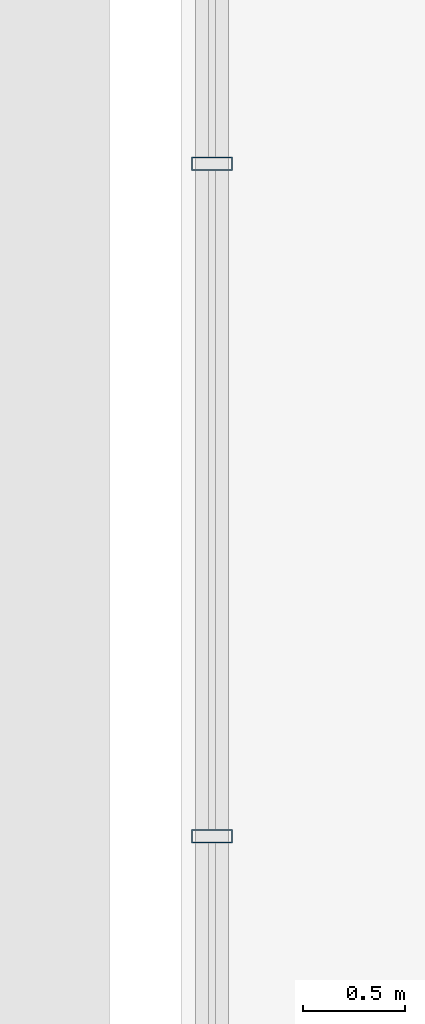
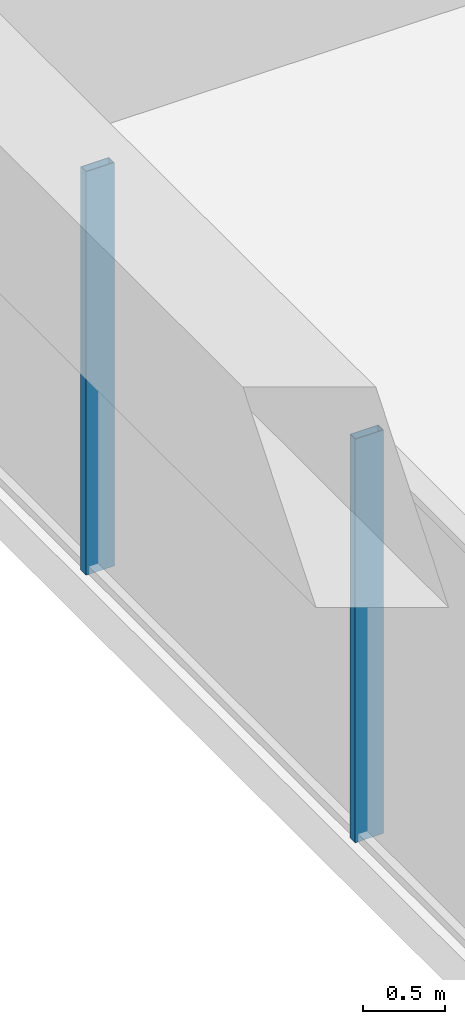
# One storey, part 4 of 16: 2 members, 1 element without a shape of its own.
"""IFC4 building model written with IfcOpenShell, lengths in metres."""

import ifcopenshell
import ifcopenshell.guid

model = None  # the IFC model being written
_history = None  # IfcOwnerHistory: only IFC2X3 demands one
_inside = {}  # id of a spatial element -> (the spatial element, [elements in it])
_under = {}  # id of a project, library or spatial element -> (it, [spatial elements below it])
_declared = {}  # id of a project -> (the project, [libraries it declares])
_typed = {}  # id of a type object -> (the type object, [elements of that type])
_made_of = {}  # id of a material, layer set ... -> (it, [elements and type objects made of it])


def new_model(schema):
    """Start an empty IFC model of exactly this schema.

    Asked for "IFC4X3", IfcOpenShell would pick the latest addendum, in which some entities
    have other attributes; the version numbers below select the first issue.
    IFC2X3 requires an IfcOwnerHistory on every rooted entity: one is made here for all.
    """
    global model, _history
    if schema == "IFC4X3":
        model = ifcopenshell.file(schema_version=(4, 3, 0, 0))
    else:
        model = ifcopenshell.file(schema=schema)
    _inside.clear()
    _under.clear()
    _declared.clear()
    _typed.clear()
    _made_of.clear()
    _history = None
    if model.schema == "IFC2X3":
        org = make("IfcOrganization", Name="unknown")
        user = make(
            "IfcPersonAndOrganization",
            ThePerson=make("IfcPerson", FamilyName="unknown"),
            TheOrganization=org,
        )
        app = make(
            "IfcApplication",
            ApplicationDeveloper=org,
            Version="unknown",
            ApplicationFullName="unknown",
            ApplicationIdentifier="unknown",
        )
        _history = make(
            "IfcOwnerHistory",
            OwningUser=user,
            OwningApplication=app,
            ChangeAction="ADDED",
            CreationDate=0,
        )
    return model


def make(cls, **values):
    """One entity of the class cls with the attributes given. An attribute that is None is left unset."""
    return model.create_entity(
        cls, **{name: value for name, value in values.items() if value is not None}
    )


def rooted(cls, **values):
    """An entity with a GlobalId (a new one), such as an element, a storey or a relation."""
    return make(cls, GlobalId=ifcopenshell.guid.new(), OwnerHistory=_history, **values)


def si_unit(unit_type, name, prefix=None):
    """IfcSIUnit, for example si_unit("LENGTHUNIT", "METRE", prefix="MILLI")."""
    return make("IfcSIUnit", UnitType=unit_type, Prefix=prefix, Name=name)


def assignment(units):
    """IfcUnitAssignment: the units of a project."""
    return None if units is None else make("IfcUnitAssignment", Units=units)


def point(xyz):
    """IfcCartesianPoint."""
    return None if xyz is None else make("IfcCartesianPoint", Coordinates=xyz)


def direction(xyz):
    """IfcDirection."""
    return None if xyz is None else make("IfcDirection", DirectionRatios=xyz)


def frame(location, z_axis=None, x_axis=None):
    """IfcAxis2Placement3D, a coordinate frame: its origin and axes. An axis left out is left unset."""
    return make(
        "IfcAxis2Placement3D",
        Location=point(location),
        Axis=direction(z_axis),
        RefDirection=direction(x_axis),
    )


def frame_2d(location, x_axis=None):
    """IfcAxis2Placement2D, a coordinate frame in the plane: its origin and x axis."""
    return make(
        "IfcAxis2Placement2D", Location=point(location), RefDirection=direction(x_axis)
    )


def origin():
    """The frame at (0, 0, 0) with its axes left unset."""
    return frame((0.0, 0.0, 0.0))


def origin_2d():
    """The frame at (0, 0) in the plane with its x axis left unset."""
    return frame_2d((0.0, 0.0))


def place(relative_to, where):
    """IfcLocalPlacement: puts the frame where relative to a parent placement (None: the world)."""
    return make(
        "IfcLocalPlacement", PlacementRelTo=relative_to, RelativePlacement=where
    )


def context(
    kind, dimensions, precision=None, world=None, true_north=None, identifier=None
):
    """IfcGeometricRepresentationContext, for example the 3D "Model" context."""
    return make(
        "IfcGeometricRepresentationContext",
        ContextIdentifier=identifier,
        ContextType=kind,
        CoordinateSpaceDimension=dimensions,
        Precision=precision,
        WorldCoordinateSystem=world,
        TrueNorth=true_north,
    )


def subcontext(parent, identifier, kind, view, scale=None):
    """IfcGeometricRepresentationSubContext, for example "Body" below "Model"."""
    return make(
        "IfcGeometricRepresentationSubContext",
        ContextIdentifier=identifier,
        ContextType=kind,
        ParentContext=parent,
        TargetScale=scale,
        TargetView=view,
    )


def project(units=None, contexts=None):
    """IfcProject with its units and contexts."""
    return rooted(
        "IfcProject",
        Name="project",
        RepresentationContexts=contexts,
        UnitsInContext=assignment(units),
    )


def spatial(cls, under=None, at=None, **own):
    """A site, building, storey or space (cls), placed at a placement, below another one or the project."""
    s = rooted(cls, ObjectPlacement=at, **own)
    if under is not None:
        _under.setdefault(under.id(), (under, []))[1].append(s)
    return s


def profile(cls, at=None, kind="AREA", **sizes):
    """A parametric profile (cls). Its sizes go by their IFC names, for example OverallWidth=200.0."""
    return make(cls, ProfileType=kind, Position=at, **sizes)


def hollow_rectangle(**sizes):
    """IfcRectangleHollowProfileDef."""
    return profile("IfcRectangleHollowProfileDef", **sizes)


def extrude(swept, where, along, depth):
    """IfcExtrudedAreaSolid: the profile swept, set in the frame where, extruded along a direction by depth."""
    return make(
        "IfcExtrudedAreaSolid",
        SweptArea=swept,
        Position=where,
        ExtrudedDirection=direction(along),
        Depth=depth,
    )


def shape(context_of_items, identifier, shape_type, items):
    """IfcShapeRepresentation: the items that make up one representation, for example the "Body"."""
    return make(
        "IfcShapeRepresentation",
        ContextOfItems=context_of_items,
        RepresentationIdentifier=identifier,
        RepresentationType=shape_type,
        Items=items,
    )


def source(mapping_origin, context_of_items, identifier, shape_type, items):
    """IfcRepresentationMap: a shape defined once, which mapped items show again and again."""
    return make(
        "IfcRepresentationMap",
        MappingOrigin=mapping_origin,
        MappedRepresentation=shape(context_of_items, identifier, shape_type, items),
    )


def transform(
    local_origin,
    x_axis=None,
    y_axis=None,
    z_axis=None,
    scale=None,
    scale2=None,
    scale3=None,
    uniform=True,
):
    """IfcCartesianTransformationOperator3D, or its non-uniform kind. x_axis, y_axis, z_axis: its Axis1, 2, 3."""
    if uniform:
        return make(
            "IfcCartesianTransformationOperator3D",
            Axis1=direction(x_axis),
            Axis2=direction(y_axis),
            LocalOrigin=point(local_origin),
            Scale=scale,
            Axis3=direction(z_axis),
        )
    return make(
        "IfcCartesianTransformationOperator3DnonUniform",
        Axis1=direction(x_axis),
        Axis2=direction(y_axis),
        LocalOrigin=point(local_origin),
        Scale=scale,
        Axis3=direction(z_axis),
        Scale2=scale2,
        Scale3=scale3,
    )


def mapped(mapping_source, mapping_target):
    """IfcMappedItem: shows the shape of a source again, moved by a transform."""
    return make(
        "IfcMappedItem", MappingSource=mapping_source, MappingTarget=mapping_target
    )


def material(Name=None, Category=None):
    """IfcMaterial."""
    return make("IfcMaterial", Name=Name, Category=Category)


def layer(
    of_material, thickness, ventilated=None, Name=None, Category=None, Priority=None
):
    """IfcMaterialLayer: one layer of a wall or slab, of a material (None: an air gap)."""
    return make(
        "IfcMaterialLayer",
        Material=of_material,
        LayerThickness=thickness,
        IsVentilated=ventilated,
        Name=Name,
        Category=Category,
        Priority=Priority,
    )


def layer_set(layers, Name=None):
    """IfcMaterialLayerSet."""
    return make("IfcMaterialLayerSet", MaterialLayers=layers, LayerSetName=Name)


def material_profile(
    of_material, cross_section, Name=None, Category=None, Priority=None
):
    """IfcMaterialProfile: a cross section and its material."""
    return make(
        "IfcMaterialProfile",
        Name=Name,
        Material=of_material,
        Profile=cross_section,
        Priority=Priority,
        Category=Category,
    )


def profile_set(profiles, Name=None, composite=None):
    """IfcMaterialProfileSet."""
    return make(
        "IfcMaterialProfileSet",
        Name=Name,
        MaterialProfiles=profiles,
        CompositeProfile=composite,
    )


def made_of(thing, what):
    """Note that an element or type object is made of a material, layer set ...; save() writes the relation."""
    if what is not None:
        _made_of.setdefault(what.id(), (what, []))[1].append(thing)
    return thing


def type_object(cls, material=None, **own):
    """A type object (cls), such as IfcWallType, which elements share."""
    return made_of(rooted(cls, **own), material)


def element(
    cls,
    number,
    at=None,
    inside=None,
    cuts=None,
    type_object=None,
    material=None,
    context=None,
    identifier="Body",
    shape_type=None,
    held_by="IfcProductDefinitionShape",
    body=None,
    shapes=None,
    **own,
):
    """One element of the class cls, such as IfcWall. Its Tag is "e" and its number.

    at: its placement. inside: the storey or other place that contains it. cuts: it is an
    opening in that element (IfcRelVoidsElement). A single representation is given by context,
    identifier, shape_type and body (its items); several are given by shapes. held_by: the class
    of the entity that holds the representations. save() writes the other relations.
    """
    e = rooted(cls, Tag="e%d" % number, ObjectPlacement=at, **own)
    if body is not None:
        shapes = [shape(context, identifier, shape_type, body)]
    if shapes is not None:
        e.Representation = make(held_by, Representations=shapes)
    if inside is not None:
        _inside.setdefault(inside.id(), (inside, []))[1].append(e)
    if cuts is not None:
        rooted(
            "IfcRelVoidsElement", RelatingBuildingElement=cuts, RelatedOpeningElement=e
        )
    if type_object is not None:
        _typed.setdefault(type_object.id(), (type_object, []))[1].append(e)
    return made_of(e, material)


def aggregate(whole, parts):
    """IfcRelAggregates: a whole, such as a stair, and the parts it consists of."""
    return rooted("IfcRelAggregates", RelatingObject=whole, RelatedObjects=parts)


def save(model, path):
    """Write the relations noted so far, then the file.

    IfcRelAggregates (storeys below a building ...), IfcRelContainedInSpatialStructure (elements
    in a storey), IfcRelDefinesByType, IfcRelAssociatesMaterial and IfcRelDeclares: one each for
    every whole, place, type object, material and project.
    """
    for whole, parts in _under.values():
        aggregate(whole, parts)
    for where, things in _inside.values():
        rooted(
            "IfcRelContainedInSpatialStructure",
            RelatedElements=things,
            RelatingStructure=where,
        )
    for kind, things in _typed.values():
        rooted("IfcRelDefinesByType", RelatedObjects=things, RelatingType=kind)
    for what, things in _made_of.values():
        rooted("IfcRelAssociatesMaterial", RelatedObjects=things, RelatingMaterial=what)
    for by, libraries in _declared.values():
        rooted("IfcRelDeclares", RelatingContext=by, RelatedDefinitions=libraries)
    model.write(path)


model = new_model("IFC4")

# Units and contexts
model_context = context("Model", 3, precision=1e-05, world=origin(), true_north=direction((0.0, 1.0)))
body_context = subcontext(model_context, "Body", "Model", "MODEL_VIEW")
ifc_project = project(units=[si_unit("LENGTHUNIT", "METRE"), si_unit("AREAUNIT", "SQUARE_METRE"), si_unit("VOLUMEUNIT", "CUBIC_METRE"), si_unit("PLANEANGLEUNIT", "RADIAN"), si_unit("MASSUNIT", "GRAM", prefix="KILO")], contexts=[model_context])

# Site, building, storey
site_placement = place(None, origin())
site = spatial("IfcSite", under=ifc_project, at=site_placement, CompositionType="ELEMENT")
building_placement = place(site_placement, origin())
building = spatial("IfcBuilding", under=site, at=building_placement, Name="Veraguas Prism Commons", CompositionType="ELEMENT")
storey_placement = place(building_placement, frame((0.0, 0.0, 14.0)))
storey = spatial("IfcBuildingStorey", under=building, at=storey_placement, Name="L03", CompositionType="ELEMENT", Elevation=14.0)

# Curtain wall, members
ifc_material = material(Name="Anodised aluminium EN AW-6063 T6", Category="aluminium")
ifc_layer = layer(ifc_material, 0.199951171875, Name="Metro Concourse Structural Glazing", Category="aluminium")
ifc_layer_set = layer_set([ifc_layer], Name="Anodised aluminium EN AW-6063 T6")
curtain_wall_type = type_object("IfcCurtainWallType", Name="Metro Concourse Structural Glazing", PredefinedType="NOTDEFINED", material=ifc_layer_set)
curtain_wall_placement = place(storey_placement, origin())
curtain_wall = element("IfcCurtainWall", 1, at=curtain_wall_placement, inside=storey, type_object=curtain_wall_type, Name="Via Espana Metro Concourse Curtain Wall L03-W02", PredefinedType="NOTDEFINED")
ifc_material_profile = material_profile(ifc_material, hollow_rectangle(XDim=0.06494140625, YDim=0.199951171875, WallThickness=0.00390625, at=origin_2d()), Name="AL65X200X4")
ifc_profile_set = profile_set([ifc_material_profile], Name="Anodised aluminium EN AW-6063 T6")
member_type = type_object("IfcMemberType", Name="Curtain Wall Mullion Heavy AL 65x200x4", PredefinedType="MULLION", material=ifc_profile_set)
shared_shape = source(origin(), body_context, "Body", "SweptSolid", [
    extrude(hollow_rectangle(XDim=0.06494140625, YDim=0.199951171875, WallThickness=0.00390625, at=origin_2d()), origin(), (0.0, 0.0, 1.0), 3.0),
])
member_1_placement = place(storey_placement, frame((2.14990234375, 22.360107421875, 0.0), z_axis=(0.0, 0.0, 1.0), x_axis=(0.0, -1.0, 0.0)))
member_1 = element("IfcMember", 2, at=member_1_placement, type_object=member_type, Name="CW-STN Mullion 4", PredefinedType="MULLION", context=body_context, shape_type="MappedRepresentation", body=[
    mapped(shared_shape, transform((0.0, 0.0, 0.0), scale=1.0)),
])
member_2_placement = place(storey_placement, frame((2.14990234375, 19.080078125, 0.0), z_axis=(0.0, 0.0, 1.0), x_axis=(0.0, -1.0, 0.0)))
member_2 = element("IfcMember", 3, at=member_2_placement, type_object=member_type, Name="CW-STN Mullion 5", PredefinedType="MULLION", context=body_context, shape_type="MappedRepresentation", body=[
    mapped(shared_shape, transform((0.0, 0.0, 0.0), scale=1.0)),
])
aggregate(curtain_wall, [member_1, member_2])

save(model, "model.ifc")
